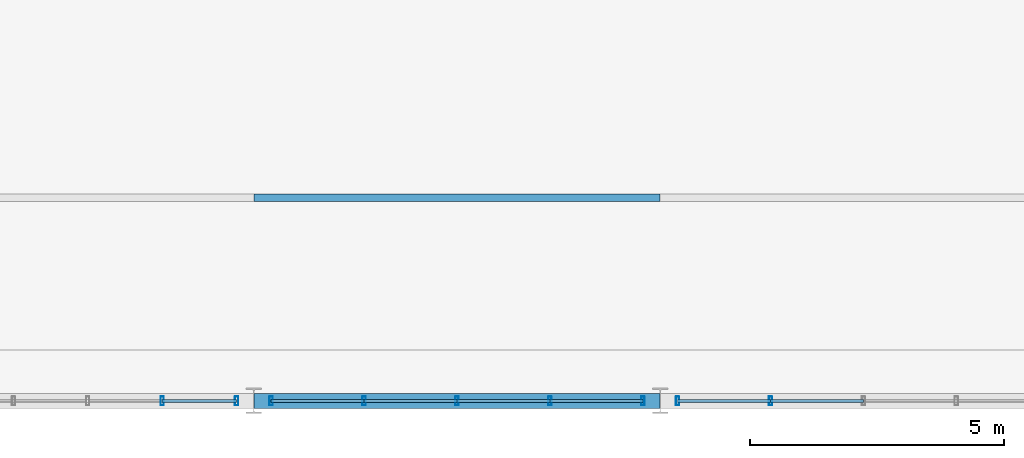
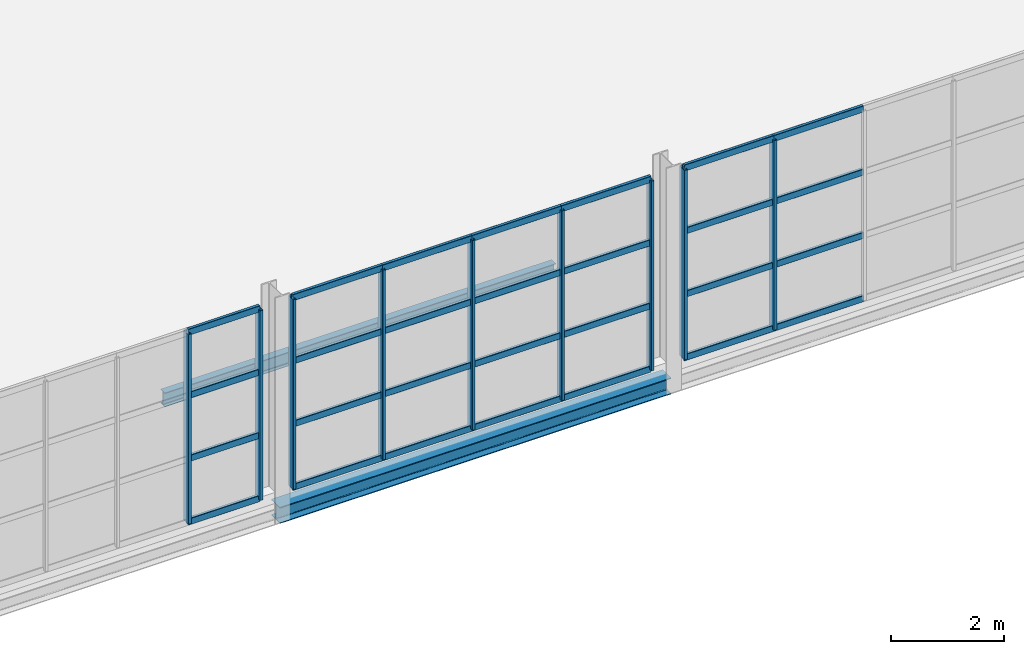
# One storey, part 69 of 153: 37 members, 2 beams, 3 elements without a shape of their own.
"""IFC4 building model written with IfcOpenShell, lengths in metres."""

from ifc_helpers import new_model, si_unit, derived_unit, direction, frame, origin, origin_2d, place, context, subcontext, project, spatial, hollow_rectangle, i_section, extrude, material, material_profile, profile_set, type_object, element, aggregate, save


model = new_model("IFC4")

# Units and contexts
model_context = context("Model", 3, precision=1e-05, world=origin(), true_north=direction((0.0, 1.0)))
body_context = subcontext(model_context, "Body", "Model", "MODEL_VIEW")
ifc_project = project(units=[si_unit("LENGTHUNIT", "METRE"), si_unit("AREAUNIT", "SQUARE_METRE"), si_unit("VOLUMEUNIT", "CUBIC_METRE"), si_unit("PLANEANGLEUNIT", "RADIAN"), si_unit("MASSUNIT", "GRAM", prefix="KILO"), derived_unit("THERMALTRANSMITTANCEUNIT", [(si_unit("POWERUNIT", "WATT"), 1), (si_unit("LENGTHUNIT", "METRE"), -2), (si_unit("THERMODYNAMICTEMPERATUREUNIT", "KELVIN"), -1)])], contexts=[model_context])

# Site, building, storey
site_placement = place(None, origin())
site = spatial("IfcSite", under=ifc_project, at=site_placement, CompositionType="ELEMENT")
building_placement = place(site_placement, origin())
building = spatial("IfcBuilding", under=site, at=building_placement, Name="Keldorne Ridge Multi-Sports Centre", CompositionType="ELEMENT")
storey_placement = place(building_placement, frame((0.0, 0.0, 9.60009765625)))
storey = spatial("IfcBuildingStorey", under=building, at=storey_placement, Name="L02", CompositionType="ELEMENT", Elevation=9.60009765625)

# Beams
ifc_material_1 = material(Name="Steel S355", Category="steel")
ifc_material_profile_1 = material_profile(ifc_material_1, i_section(OverallWidth=0.14990234375, OverallDepth=0.300048828125, WebThickness=0.007080078125, FlangeThickness=0.0107421875, FilletRadius=0.014892578125, at=origin_2d()), Name="IPE 300")
ifc_profile_set_1 = profile_set([ifc_material_profile_1], Name="Steel S355")
beam_type_1 = type_object("IfcBeamType", Name="BM-J-02", PredefinedType="JOIST", material=ifc_profile_set_1)
beam_1_placement = place(storey_placement, frame((120.0, 10.0, -0.39013671875), z_axis=(1.0, 0.0, 0.0), x_axis=(0.0, 1.0, 0.0)))
element("IfcBeam", 1, at=beam_1_placement, inside=storey, type_object=beam_type_1, Name="L02 Stacked Courts beam 3.2", PredefinedType="JOIST", context=body_context, shape_type="SweptSolid", body=[
    extrude(i_section(OverallWidth=0.14990234375, OverallDepth=0.300048828125, WebThickness=0.007080078125, FlangeThickness=0.0107421875, FilletRadius=0.014892578125, at=origin_2d()), origin(), (0.0, 0.0, 1.0), 8.0),
])
ifc_material_profile_2 = material_profile(ifc_material_1, i_section(OverallWidth=0.300048828125, OverallDepth=0.35009765625, WebThickness=0.010009765625, FlangeThickness=0.017578125, FilletRadius=0.027099609375, at=origin_2d()), Name="HEA 360")
ifc_profile_set_2 = profile_set([ifc_material_profile_2], Name="Steel S355")
beam_type_2 = type_object("IfcBeamType", Name="BM-SP-03", PredefinedType="SPANDREL", material=ifc_profile_set_2)
beam_2_placement = place(storey_placement, frame((120.0, 6.0, -0.4150390625), z_axis=(1.0, 0.0, 0.0), x_axis=(0.0, 1.0, 0.0)))
element("IfcBeam", 2, at=beam_2_placement, inside=storey, type_object=beam_type_2, Name="L02 Stacked Courts beam 3.1", PredefinedType="SPANDREL", context=body_context, shape_type="SweptSolid", body=[
    extrude(i_section(OverallWidth=0.300048828125, OverallDepth=0.35009765625, WebThickness=0.010009765625, FlangeThickness=0.017578125, FilletRadius=0.027099609375, at=origin_2d()), origin(), (0.0, 0.0, 1.0), 8.0),
])

# Curtain wall, members
ifc_material_2 = material(Name="Anodized aluminium", Category="aluminium")
curtain_wall_type_1 = type_object("IfcCurtainWallType", Name="CW-CW-07", PredefinedType="NOTDEFINED", material=ifc_material_2)
curtain_wall_1_placement = place(storey_placement, origin())
curtain_wall_1 = element("IfcCurtainWall", 3, at=curtain_wall_1_placement, inside=storey, type_object=curtain_wall_type_1, Name="Upper Courts south curtain wall 095", PredefinedType="NOTDEFINED")
ifc_material_profile_3 = material_profile(ifc_material_2, hollow_rectangle(XDim=0.06494140625, YDim=0.179931640625, WallThickness=0.00439453125, InnerFilletRadius=0.00439453125, OuterFilletRadius=0.009033203125, at=origin_2d()), Name="ALU MULLION 180x65x4.5")
ifc_profile_set_3 = profile_set([ifc_material_profile_3], Name="Anodized aluminium")
member_type_1 = type_object("IfcMemberType", Name="MEM-ML-01", PredefinedType="MULLION", material=ifc_profile_set_3)
member_1_placement = place(storey_placement, frame((118.196044921875, 6.0, 0.0), z_axis=(0.0, 0.0, 1.0), x_axis=(1.0, 0.0, 0.0)))
member_1 = element("IfcMember", 4, at=member_1_placement, type_object=member_type_1, Name="CW-095 vertical mullion 5", PredefinedType="MULLION", context=body_context, shape_type="SweptSolid", body=[
    extrude(hollow_rectangle(XDim=0.06494140625, YDim=0.179931640625, WallThickness=0.00439453125, InnerFilletRadius=0.00439453125, OuterFilletRadius=0.009033203125, at=origin_2d()), origin(), (0.0, 0.0, 1.0), 4.099853515625),
])
member_2_placement = place(storey_placement, frame((119.659912109375, 6.0, 0.0), z_axis=(0.0, 0.0, 1.0), x_axis=(1.0, 0.0, 0.0)))
member_2 = element("IfcMember", 5, at=member_2_placement, type_object=member_type_1, Name="CW-095 vertical mullion 6", PredefinedType="MULLION", context=body_context, shape_type="SweptSolid", body=[
    extrude(hollow_rectangle(XDim=0.06494140625, YDim=0.179931640625, WallThickness=0.00439453125, InnerFilletRadius=0.00439453125, OuterFilletRadius=0.009033203125, at=origin_2d()), origin(), (0.0, 0.0, 1.0), 4.099853515625),
])

curtain_wall_type_2 = type_object("IfcCurtainWallType", Name="CW-CW-05", PredefinedType="NOTDEFINED", material=ifc_material_2)
curtain_wall_2_placement = place(storey_placement, origin())
curtain_wall_2 = element("IfcCurtainWall", 6, at=curtain_wall_2_placement, inside=storey, type_object=curtain_wall_type_2, Name="Upper Courts south curtain wall 101", PredefinedType="NOTDEFINED")
member_3_placement = place(storey_placement, frame((120.340087890625, 6.0, 0.0), z_axis=(0.0, 0.0, 1.0), x_axis=(1.0, 0.0, 0.0)))
member_3 = element("IfcMember", 7, at=member_3_placement, type_object=member_type_1, Name="CW-101 vertical mullion 1", PredefinedType="MULLION", context=body_context, shape_type="SweptSolid", body=[
    extrude(hollow_rectangle(XDim=0.06494140625, YDim=0.179931640625, WallThickness=0.00439453125, InnerFilletRadius=0.00439453125, OuterFilletRadius=0.009033203125, at=origin_2d()), origin(), (0.0, 0.0, 1.0), 4.099853515625),
])
member_4_placement = place(storey_placement, frame((122.169921875, 6.0, 0.0), z_axis=(0.0, 0.0, 1.0), x_axis=(1.0, 0.0, 0.0)))
member_4 = element("IfcMember", 8, at=member_4_placement, type_object=member_type_1, Name="CW-101 vertical mullion 2", PredefinedType="MULLION", context=body_context, shape_type="SweptSolid", body=[
    extrude(hollow_rectangle(XDim=0.06494140625, YDim=0.179931640625, WallThickness=0.00439453125, InnerFilletRadius=0.00439453125, OuterFilletRadius=0.009033203125, at=origin_2d()), origin(), (0.0, 0.0, 1.0), 4.099853515625),
])
member_5_placement = place(storey_placement, frame((124.0, 6.0, 0.0), z_axis=(0.0, 0.0, 1.0), x_axis=(1.0, 0.0, 0.0)))
member_5 = element("IfcMember", 9, at=member_5_placement, type_object=member_type_1, Name="CW-101 vertical mullion 3", PredefinedType="MULLION", context=body_context, shape_type="SweptSolid", body=[
    extrude(hollow_rectangle(XDim=0.06494140625, YDim=0.179931640625, WallThickness=0.00439453125, InnerFilletRadius=0.00439453125, OuterFilletRadius=0.009033203125, at=origin_2d()), origin(), (0.0, 0.0, 1.0), 4.099853515625),
])
member_6_placement = place(storey_placement, frame((125.830078125, 6.0, 0.0), z_axis=(0.0, 0.0, 1.0), x_axis=(1.0, 0.0, 0.0)))
member_6 = element("IfcMember", 10, at=member_6_placement, type_object=member_type_1, Name="CW-101 vertical mullion 4", PredefinedType="MULLION", context=body_context, shape_type="SweptSolid", body=[
    extrude(hollow_rectangle(XDim=0.06494140625, YDim=0.179931640625, WallThickness=0.00439453125, InnerFilletRadius=0.00439453125, OuterFilletRadius=0.009033203125, at=origin_2d()), origin(), (0.0, 0.0, 1.0), 4.099853515625),
])
member_7_placement = place(storey_placement, frame((127.659912109375, 6.0, 0.0), z_axis=(0.0, 0.0, 1.0), x_axis=(1.0, 0.0, 0.0)))
member_7 = element("IfcMember", 11, at=member_7_placement, type_object=member_type_1, Name="CW-101 vertical mullion 5", PredefinedType="MULLION", context=body_context, shape_type="SweptSolid", body=[
    extrude(hollow_rectangle(XDim=0.06494140625, YDim=0.179931640625, WallThickness=0.00439453125, InnerFilletRadius=0.00439453125, OuterFilletRadius=0.009033203125, at=origin_2d()), origin(), (0.0, 0.0, 1.0), 4.099853515625),
])

curtain_wall_type_3 = type_object("IfcCurtainWallType", Name="CW-CW-03", PredefinedType="NOTDEFINED", material=ifc_material_2)
curtain_wall_3_placement = place(storey_placement, origin())
curtain_wall_3 = element("IfcCurtainWall", 12, at=curtain_wall_3_placement, inside=storey, type_object=curtain_wall_type_3, Name="Upper Courts south curtain wall 107", PredefinedType="NOTDEFINED")
member_8_placement = place(storey_placement, frame((128.340087890625, 6.0, 0.0), z_axis=(0.0, 0.0, 1.0), x_axis=(1.0, 0.0, 0.0)))
member_8 = element("IfcMember", 13, at=member_8_placement, type_object=member_type_1, Name="CW-107 vertical mullion 1", PredefinedType="MULLION", context=body_context, shape_type="SweptSolid", body=[
    extrude(hollow_rectangle(XDim=0.06494140625, YDim=0.179931640625, WallThickness=0.00439453125, InnerFilletRadius=0.00439453125, OuterFilletRadius=0.009033203125, at=origin_2d()), origin(), (0.0, 0.0, 1.0), 4.099853515625),
])
member_9_placement = place(storey_placement, frame((130.169921875, 6.0, 0.0), z_axis=(0.0, 0.0, 1.0), x_axis=(1.0, 0.0, 0.0)))
member_9 = element("IfcMember", 14, at=member_9_placement, type_object=member_type_1, Name="CW-107 vertical mullion 2", PredefinedType="MULLION", context=body_context, shape_type="SweptSolid", body=[
    extrude(hollow_rectangle(XDim=0.06494140625, YDim=0.179931640625, WallThickness=0.00439453125, InnerFilletRadius=0.00439453125, OuterFilletRadius=0.009033203125, at=origin_2d()), origin(), (0.0, 0.0, 1.0), 4.099853515625),
])

# Member
ifc_material_profile_4 = material_profile(ifc_material_2, hollow_rectangle(XDim=0.06494140625, YDim=0.139892578125, WallThickness=0.00439453125, InnerFilletRadius=0.00439453125, OuterFilletRadius=0.009033203125, at=origin_2d()), Name="ALU TRANSOM 140x65x4.5")
ifc_profile_set_4 = profile_set([ifc_material_profile_4], Name="Anodized aluminium")
member_type_2 = type_object("IfcMemberType", Name="MEM-TR-01", PredefinedType="USERDEFINED", material=ifc_profile_set_4)
member_10_placement = place(storey_placement, frame((118.196044921875, 6.0, 0.0), z_axis=(1.0, 0.0, 0.0), x_axis=(0.0, 1.0, 0.0)))
member_10 = element("IfcMember", 15, at=member_10_placement, type_object=member_type_2, Name="CW-095 transom 5.1", ObjectType="TRANSOM", PredefinedType="USERDEFINED", context=body_context, shape_type="SweptSolid", body=[
    extrude(hollow_rectangle(XDim=0.06494140625, YDim=0.139892578125, WallThickness=0.00439453125, InnerFilletRadius=0.00439453125, OuterFilletRadius=0.009033203125, at=origin_2d()), origin(), (0.0, 0.0, 1.0), 1.4638671875),
])

member_11_placement = place(storey_placement, frame((118.196044921875, 6.0, 1.36669921875), z_axis=(1.0, 0.0, 0.0), x_axis=(0.0, 1.0, 0.0)))
member_11 = element("IfcMember", 16, at=member_11_placement, type_object=member_type_2, Name="CW-095 transom 5.2", ObjectType="TRANSOM", PredefinedType="USERDEFINED", context=body_context, shape_type="SweptSolid", body=[
    extrude(hollow_rectangle(XDim=0.06494140625, YDim=0.139892578125, WallThickness=0.00439453125, InnerFilletRadius=0.00439453125, OuterFilletRadius=0.009033203125, at=origin_2d()), origin(), (0.0, 0.0, 1.0), 1.4638671875),
])

member_12_placement = place(storey_placement, frame((118.196044921875, 6.0, 2.733154296875), z_axis=(1.0, 0.0, 0.0), x_axis=(0.0, 1.0, 0.0)))
member_12 = element("IfcMember", 17, at=member_12_placement, type_object=member_type_2, Name="CW-095 transom 5.3", ObjectType="TRANSOM", PredefinedType="USERDEFINED", context=body_context, shape_type="SweptSolid", body=[
    extrude(hollow_rectangle(XDim=0.06494140625, YDim=0.139892578125, WallThickness=0.00439453125, InnerFilletRadius=0.00439453125, OuterFilletRadius=0.009033203125, at=origin_2d()), origin(), (0.0, 0.0, 1.0), 1.4638671875),
])

member_13_placement = place(storey_placement, frame((118.196044921875, 6.0, 4.099853515625), z_axis=(1.0, 0.0, 0.0), x_axis=(0.0, 1.0, 0.0)))
member_13 = element("IfcMember", 18, at=member_13_placement, type_object=member_type_2, Name="CW-095 transom 5.4", ObjectType="TRANSOM", PredefinedType="USERDEFINED", context=body_context, shape_type="SweptSolid", body=[
    extrude(hollow_rectangle(XDim=0.06494140625, YDim=0.139892578125, WallThickness=0.00439453125, InnerFilletRadius=0.00439453125, OuterFilletRadius=0.009033203125, at=origin_2d()), origin(), (0.0, 0.0, 1.0), 1.4638671875),
])

aggregate(curtain_wall_1, [member_1, member_2, member_10, member_11, member_12, member_13])

member_14_placement = place(storey_placement, frame((120.340087890625, 6.0, 0.0), z_axis=(1.0, 0.0, 0.0), x_axis=(0.0, 1.0, 0.0)))
member_14 = element("IfcMember", 19, at=member_14_placement, type_object=member_type_2, Name="CW-101 transom 1.1", ObjectType="TRANSOM", PredefinedType="USERDEFINED", context=body_context, shape_type="SweptSolid", body=[
    extrude(hollow_rectangle(XDim=0.06494140625, YDim=0.139892578125, WallThickness=0.00439453125, InnerFilletRadius=0.00439453125, OuterFilletRadius=0.009033203125, at=origin_2d()), origin(), (0.0, 0.0, 1.0), 1.829833984375),
])

member_15_placement = place(storey_placement, frame((120.340087890625, 6.0, 1.36669921875), z_axis=(1.0, 0.0, 0.0), x_axis=(0.0, 1.0, 0.0)))
member_15 = element("IfcMember", 20, at=member_15_placement, type_object=member_type_2, Name="CW-101 transom 1.2", ObjectType="TRANSOM", PredefinedType="USERDEFINED", context=body_context, shape_type="SweptSolid", body=[
    extrude(hollow_rectangle(XDim=0.06494140625, YDim=0.139892578125, WallThickness=0.00439453125, InnerFilletRadius=0.00439453125, OuterFilletRadius=0.009033203125, at=origin_2d()), origin(), (0.0, 0.0, 1.0), 1.829833984375),
])

member_16_placement = place(storey_placement, frame((120.340087890625, 6.0, 2.733154296875), z_axis=(1.0, 0.0, 0.0), x_axis=(0.0, 1.0, 0.0)))
member_16 = element("IfcMember", 21, at=member_16_placement, type_object=member_type_2, Name="CW-101 transom 1.3", ObjectType="TRANSOM", PredefinedType="USERDEFINED", context=body_context, shape_type="SweptSolid", body=[
    extrude(hollow_rectangle(XDim=0.06494140625, YDim=0.139892578125, WallThickness=0.00439453125, InnerFilletRadius=0.00439453125, OuterFilletRadius=0.009033203125, at=origin_2d()), origin(), (0.0, 0.0, 1.0), 1.829833984375),
])

member_17_placement = place(storey_placement, frame((120.340087890625, 6.0, 4.099853515625), z_axis=(1.0, 0.0, 0.0), x_axis=(0.0, 1.0, 0.0)))
member_17 = element("IfcMember", 22, at=member_17_placement, type_object=member_type_2, Name="CW-101 transom 1.4", ObjectType="TRANSOM", PredefinedType="USERDEFINED", context=body_context, shape_type="SweptSolid", body=[
    extrude(hollow_rectangle(XDim=0.06494140625, YDim=0.139892578125, WallThickness=0.00439453125, InnerFilletRadius=0.00439453125, OuterFilletRadius=0.009033203125, at=origin_2d()), origin(), (0.0, 0.0, 1.0), 1.829833984375),
])

member_18_placement = place(storey_placement, frame((122.169921875, 6.0, 0.0), z_axis=(1.0, 0.0, 0.0), x_axis=(0.0, 1.0, 0.0)))
member_18 = element("IfcMember", 23, at=member_18_placement, type_object=member_type_2, Name="CW-101 transom 2.1", ObjectType="TRANSOM", PredefinedType="USERDEFINED", context=body_context, shape_type="SweptSolid", body=[
    extrude(hollow_rectangle(XDim=0.06494140625, YDim=0.139892578125, WallThickness=0.00439453125, InnerFilletRadius=0.00439453125, OuterFilletRadius=0.009033203125, at=origin_2d()), origin(), (0.0, 0.0, 1.0), 1.830078125),
])

member_19_placement = place(storey_placement, frame((122.169921875, 6.0, 1.36669921875), z_axis=(1.0, 0.0, 0.0), x_axis=(0.0, 1.0, 0.0)))
member_19 = element("IfcMember", 24, at=member_19_placement, type_object=member_type_2, Name="CW-101 transom 2.2", ObjectType="TRANSOM", PredefinedType="USERDEFINED", context=body_context, shape_type="SweptSolid", body=[
    extrude(hollow_rectangle(XDim=0.06494140625, YDim=0.139892578125, WallThickness=0.00439453125, InnerFilletRadius=0.00439453125, OuterFilletRadius=0.009033203125, at=origin_2d()), origin(), (0.0, 0.0, 1.0), 1.830078125),
])

member_20_placement = place(storey_placement, frame((122.169921875, 6.0, 2.733154296875), z_axis=(1.0, 0.0, 0.0), x_axis=(0.0, 1.0, 0.0)))
member_20 = element("IfcMember", 25, at=member_20_placement, type_object=member_type_2, Name="CW-101 transom 2.3", ObjectType="TRANSOM", PredefinedType="USERDEFINED", context=body_context, shape_type="SweptSolid", body=[
    extrude(hollow_rectangle(XDim=0.06494140625, YDim=0.139892578125, WallThickness=0.00439453125, InnerFilletRadius=0.00439453125, OuterFilletRadius=0.009033203125, at=origin_2d()), origin(), (0.0, 0.0, 1.0), 1.830078125),
])

member_21_placement = place(storey_placement, frame((122.169921875, 6.0, 4.099853515625), z_axis=(1.0, 0.0, 0.0), x_axis=(0.0, 1.0, 0.0)))
member_21 = element("IfcMember", 26, at=member_21_placement, type_object=member_type_2, Name="CW-101 transom 2.4", ObjectType="TRANSOM", PredefinedType="USERDEFINED", context=body_context, shape_type="SweptSolid", body=[
    extrude(hollow_rectangle(XDim=0.06494140625, YDim=0.139892578125, WallThickness=0.00439453125, InnerFilletRadius=0.00439453125, OuterFilletRadius=0.009033203125, at=origin_2d()), origin(), (0.0, 0.0, 1.0), 1.830078125),
])

member_22_placement = place(storey_placement, frame((124.0, 6.0, 0.0), z_axis=(1.0, 0.0, 0.0), x_axis=(0.0, 1.0, 0.0)))
member_22 = element("IfcMember", 27, at=member_22_placement, type_object=member_type_2, Name="CW-101 transom 3.1", ObjectType="TRANSOM", PredefinedType="USERDEFINED", context=body_context, shape_type="SweptSolid", body=[
    extrude(hollow_rectangle(XDim=0.06494140625, YDim=0.139892578125, WallThickness=0.00439453125, InnerFilletRadius=0.00439453125, OuterFilletRadius=0.009033203125, at=origin_2d()), origin(), (0.0, 0.0, 1.0), 1.830078125),
])

member_23_placement = place(storey_placement, frame((124.0, 6.0, 1.36669921875), z_axis=(1.0, 0.0, 0.0), x_axis=(0.0, 1.0, 0.0)))
member_23 = element("IfcMember", 28, at=member_23_placement, type_object=member_type_2, Name="CW-101 transom 3.2", ObjectType="TRANSOM", PredefinedType="USERDEFINED", context=body_context, shape_type="SweptSolid", body=[
    extrude(hollow_rectangle(XDim=0.06494140625, YDim=0.139892578125, WallThickness=0.00439453125, InnerFilletRadius=0.00439453125, OuterFilletRadius=0.009033203125, at=origin_2d()), origin(), (0.0, 0.0, 1.0), 1.830078125),
])

member_24_placement = place(storey_placement, frame((124.0, 6.0, 2.733154296875), z_axis=(1.0, 0.0, 0.0), x_axis=(0.0, 1.0, 0.0)))
member_24 = element("IfcMember", 29, at=member_24_placement, type_object=member_type_2, Name="CW-101 transom 3.3", ObjectType="TRANSOM", PredefinedType="USERDEFINED", context=body_context, shape_type="SweptSolid", body=[
    extrude(hollow_rectangle(XDim=0.06494140625, YDim=0.139892578125, WallThickness=0.00439453125, InnerFilletRadius=0.00439453125, OuterFilletRadius=0.009033203125, at=origin_2d()), origin(), (0.0, 0.0, 1.0), 1.830078125),
])

member_25_placement = place(storey_placement, frame((124.0, 6.0, 4.099853515625), z_axis=(1.0, 0.0, 0.0), x_axis=(0.0, 1.0, 0.0)))
member_25 = element("IfcMember", 30, at=member_25_placement, type_object=member_type_2, Name="CW-101 transom 3.4", ObjectType="TRANSOM", PredefinedType="USERDEFINED", context=body_context, shape_type="SweptSolid", body=[
    extrude(hollow_rectangle(XDim=0.06494140625, YDim=0.139892578125, WallThickness=0.00439453125, InnerFilletRadius=0.00439453125, OuterFilletRadius=0.009033203125, at=origin_2d()), origin(), (0.0, 0.0, 1.0), 1.830078125),
])

member_26_placement = place(storey_placement, frame((125.830078125, 6.0, 0.0), z_axis=(1.0, 0.0, 0.0), x_axis=(0.0, 1.0, 0.0)))
member_26 = element("IfcMember", 31, at=member_26_placement, type_object=member_type_2, Name="CW-101 transom 4.1", ObjectType="TRANSOM", PredefinedType="USERDEFINED", context=body_context, shape_type="SweptSolid", body=[
    extrude(hollow_rectangle(XDim=0.06494140625, YDim=0.139892578125, WallThickness=0.00439453125, InnerFilletRadius=0.00439453125, OuterFilletRadius=0.009033203125, at=origin_2d()), origin(), (0.0, 0.0, 1.0), 1.829833984375),
])

member_27_placement = place(storey_placement, frame((125.830078125, 6.0, 1.36669921875), z_axis=(1.0, 0.0, 0.0), x_axis=(0.0, 1.0, 0.0)))
member_27 = element("IfcMember", 32, at=member_27_placement, type_object=member_type_2, Name="CW-101 transom 4.2", ObjectType="TRANSOM", PredefinedType="USERDEFINED", context=body_context, shape_type="SweptSolid", body=[
    extrude(hollow_rectangle(XDim=0.06494140625, YDim=0.139892578125, WallThickness=0.00439453125, InnerFilletRadius=0.00439453125, OuterFilletRadius=0.009033203125, at=origin_2d()), origin(), (0.0, 0.0, 1.0), 1.829833984375),
])

member_28_placement = place(storey_placement, frame((125.830078125, 6.0, 2.733154296875), z_axis=(1.0, 0.0, 0.0), x_axis=(0.0, 1.0, 0.0)))
member_28 = element("IfcMember", 33, at=member_28_placement, type_object=member_type_2, Name="CW-101 transom 4.3", ObjectType="TRANSOM", PredefinedType="USERDEFINED", context=body_context, shape_type="SweptSolid", body=[
    extrude(hollow_rectangle(XDim=0.06494140625, YDim=0.139892578125, WallThickness=0.00439453125, InnerFilletRadius=0.00439453125, OuterFilletRadius=0.009033203125, at=origin_2d()), origin(), (0.0, 0.0, 1.0), 1.829833984375),
])

member_29_placement = place(storey_placement, frame((125.830078125, 6.0, 4.099853515625), z_axis=(1.0, 0.0, 0.0), x_axis=(0.0, 1.0, 0.0)))
member_29 = element("IfcMember", 34, at=member_29_placement, type_object=member_type_2, Name="CW-101 transom 4.4", ObjectType="TRANSOM", PredefinedType="USERDEFINED", context=body_context, shape_type="SweptSolid", body=[
    extrude(hollow_rectangle(XDim=0.06494140625, YDim=0.139892578125, WallThickness=0.00439453125, InnerFilletRadius=0.00439453125, OuterFilletRadius=0.009033203125, at=origin_2d()), origin(), (0.0, 0.0, 1.0), 1.829833984375),
])

aggregate(curtain_wall_2, [member_3, member_4, member_5, member_6, member_7, member_14, member_15, member_16, member_17, member_18, member_19, member_20, member_21, member_22, member_23, member_24, member_25, member_26, member_27, member_28, member_29])

member_30_placement = place(storey_placement, frame((128.340087890625, 6.0, 0.0), z_axis=(1.0, 0.0, 0.0), x_axis=(0.0, 1.0, 0.0)))
member_30 = element("IfcMember", 35, at=member_30_placement, type_object=member_type_2, Name="CW-107 transom 1.1", ObjectType="TRANSOM", PredefinedType="USERDEFINED", context=body_context, shape_type="SweptSolid", body=[
    extrude(hollow_rectangle(XDim=0.06494140625, YDim=0.139892578125, WallThickness=0.00439453125, InnerFilletRadius=0.00439453125, OuterFilletRadius=0.009033203125, at=origin_2d()), origin(), (0.0, 0.0, 1.0), 1.829833984375),
])

member_31_placement = place(storey_placement, frame((128.340087890625, 6.0, 1.36669921875), z_axis=(1.0, 0.0, 0.0), x_axis=(0.0, 1.0, 0.0)))
member_31 = element("IfcMember", 36, at=member_31_placement, type_object=member_type_2, Name="CW-107 transom 1.2", ObjectType="TRANSOM", PredefinedType="USERDEFINED", context=body_context, shape_type="SweptSolid", body=[
    extrude(hollow_rectangle(XDim=0.06494140625, YDim=0.139892578125, WallThickness=0.00439453125, InnerFilletRadius=0.00439453125, OuterFilletRadius=0.009033203125, at=origin_2d()), origin(), (0.0, 0.0, 1.0), 1.829833984375),
])

member_32_placement = place(storey_placement, frame((128.340087890625, 6.0, 2.733154296875), z_axis=(1.0, 0.0, 0.0), x_axis=(0.0, 1.0, 0.0)))
member_32 = element("IfcMember", 37, at=member_32_placement, type_object=member_type_2, Name="CW-107 transom 1.3", ObjectType="TRANSOM", PredefinedType="USERDEFINED", context=body_context, shape_type="SweptSolid", body=[
    extrude(hollow_rectangle(XDim=0.06494140625, YDim=0.139892578125, WallThickness=0.00439453125, InnerFilletRadius=0.00439453125, OuterFilletRadius=0.009033203125, at=origin_2d()), origin(), (0.0, 0.0, 1.0), 1.829833984375),
])

member_33_placement = place(storey_placement, frame((128.340087890625, 6.0, 4.099853515625), z_axis=(1.0, 0.0, 0.0), x_axis=(0.0, 1.0, 0.0)))
member_33 = element("IfcMember", 38, at=member_33_placement, type_object=member_type_2, Name="CW-107 transom 1.4", ObjectType="TRANSOM", PredefinedType="USERDEFINED", context=body_context, shape_type="SweptSolid", body=[
    extrude(hollow_rectangle(XDim=0.06494140625, YDim=0.139892578125, WallThickness=0.00439453125, InnerFilletRadius=0.00439453125, OuterFilletRadius=0.009033203125, at=origin_2d()), origin(), (0.0, 0.0, 1.0), 1.829833984375),
])

member_34_placement = place(storey_placement, frame((130.169921875, 6.0, 0.0), z_axis=(1.0, 0.0, 0.0), x_axis=(0.0, 1.0, 0.0)))
member_34 = element("IfcMember", 39, at=member_34_placement, type_object=member_type_2, Name="CW-107 transom 2.1", ObjectType="TRANSOM", PredefinedType="USERDEFINED", context=body_context, shape_type="SweptSolid", body=[
    extrude(hollow_rectangle(XDim=0.06494140625, YDim=0.139892578125, WallThickness=0.00439453125, InnerFilletRadius=0.00439453125, OuterFilletRadius=0.009033203125, at=origin_2d()), origin(), (0.0, 0.0, 1.0), 1.830078125),
])

member_35_placement = place(storey_placement, frame((130.169921875, 6.0, 1.36669921875), z_axis=(1.0, 0.0, 0.0), x_axis=(0.0, 1.0, 0.0)))
member_35 = element("IfcMember", 40, at=member_35_placement, type_object=member_type_2, Name="CW-107 transom 2.2", ObjectType="TRANSOM", PredefinedType="USERDEFINED", context=body_context, shape_type="SweptSolid", body=[
    extrude(hollow_rectangle(XDim=0.06494140625, YDim=0.139892578125, WallThickness=0.00439453125, InnerFilletRadius=0.00439453125, OuterFilletRadius=0.009033203125, at=origin_2d()), origin(), (0.0, 0.0, 1.0), 1.830078125),
])

member_36_placement = place(storey_placement, frame((130.169921875, 6.0, 2.733154296875), z_axis=(1.0, 0.0, 0.0), x_axis=(0.0, 1.0, 0.0)))
member_36 = element("IfcMember", 41, at=member_36_placement, type_object=member_type_2, Name="CW-107 transom 2.3", ObjectType="TRANSOM", PredefinedType="USERDEFINED", context=body_context, shape_type="SweptSolid", body=[
    extrude(hollow_rectangle(XDim=0.06494140625, YDim=0.139892578125, WallThickness=0.00439453125, InnerFilletRadius=0.00439453125, OuterFilletRadius=0.009033203125, at=origin_2d()), origin(), (0.0, 0.0, 1.0), 1.830078125),
])

member_37_placement = place(storey_placement, frame((130.169921875, 6.0, 4.099853515625), z_axis=(1.0, 0.0, 0.0), x_axis=(0.0, 1.0, 0.0)))
member_37 = element("IfcMember", 42, at=member_37_placement, type_object=member_type_2, Name="CW-107 transom 2.4", ObjectType="TRANSOM", PredefinedType="USERDEFINED", context=body_context, shape_type="SweptSolid", body=[
    extrude(hollow_rectangle(XDim=0.06494140625, YDim=0.139892578125, WallThickness=0.00439453125, InnerFilletRadius=0.00439453125, OuterFilletRadius=0.009033203125, at=origin_2d()), origin(), (0.0, 0.0, 1.0), 1.830078125),
])

aggregate(curtain_wall_3, [member_8, member_9, member_30, member_31, member_32, member_33, member_34, member_35, member_36, member_37])

save(model, "model.ifc")
